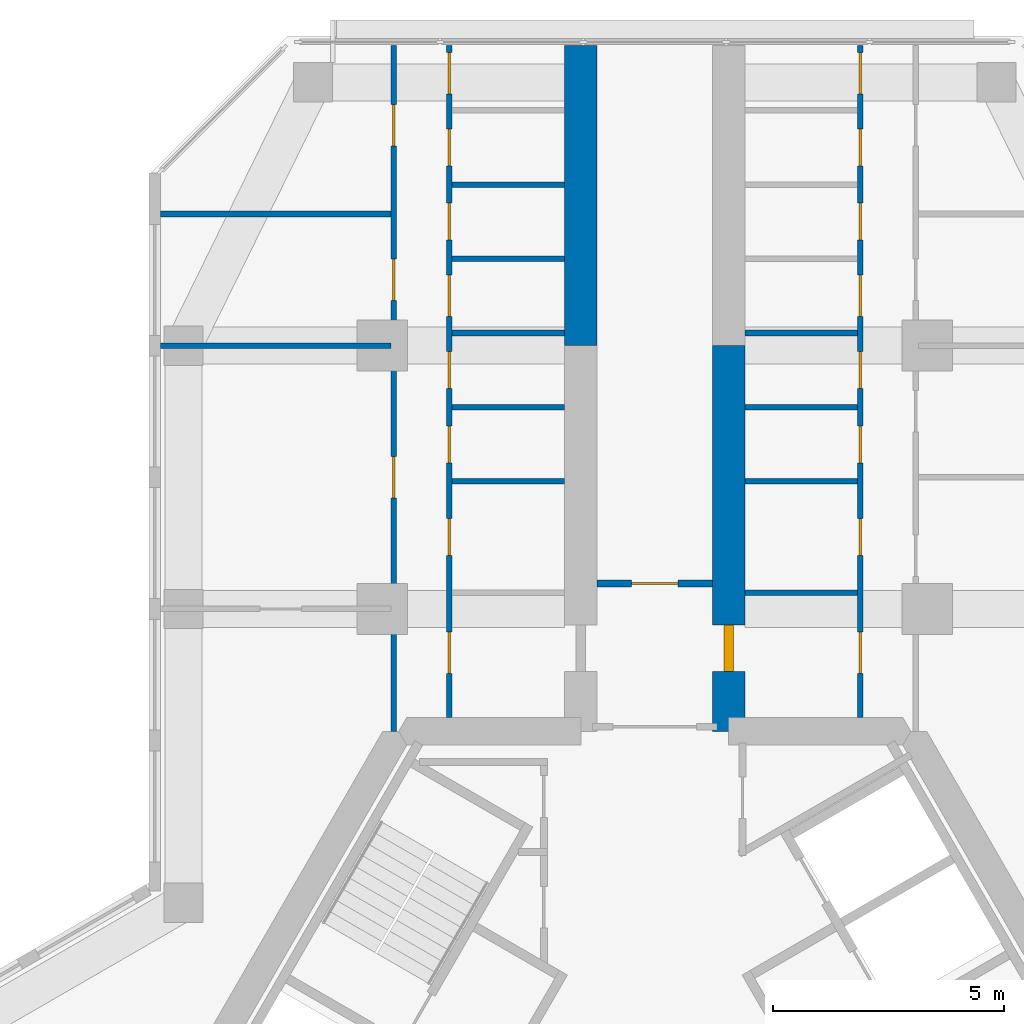
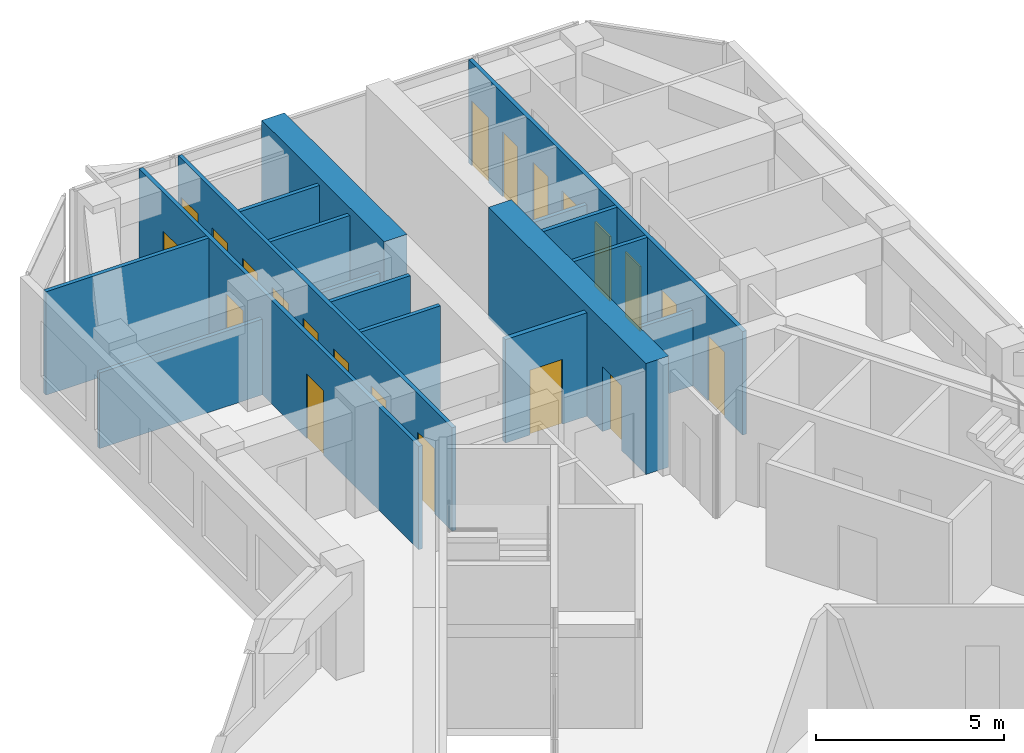
# One storey, part 14 of 16: 21 doors, 17 walls, 21 openings.
"""IFC4 building model written with IfcOpenShell, lengths in metres."""

from ifc_helpers import new_model, si_unit, direction, frame, frame_2d, origin, place, context, subcontext, project, spatial, rectangle, extrude, material, layer, layer_set, type_object, element, fill, save


model = new_model("IFC4")

# Units and contexts
model_context = context("Model", 3, precision=1e-05, world=origin(), true_north=direction((0.0, 1.0)))
body_context = subcontext(model_context, "Body", "Model", "MODEL_VIEW")
ifc_project = project(units=[si_unit("LENGTHUNIT", "METRE"), si_unit("AREAUNIT", "SQUARE_METRE"), si_unit("VOLUMEUNIT", "CUBIC_METRE"), si_unit("PLANEANGLEUNIT", "RADIAN"), si_unit("MASSUNIT", "GRAM", prefix="KILO")], contexts=[model_context])

# Site, building, storey
site_placement = place(None, origin())
site = spatial("IfcSite", under=ifc_project, at=site_placement, CompositionType="ELEMENT")
building_placement = place(site_placement, origin())
building = spatial("IfcBuilding", under=site, at=building_placement, Name="Kosmar Iwan School Tower", CompositionType="ELEMENT")
storey_placement = place(building_placement, frame((0.0, 0.0, 253.199951171875)))
storey = spatial("IfcBuildingStorey", under=building, at=storey_placement, Name="L64", CompositionType="ELEMENT", Elevation=253.199951171875)

# Wall
ifc_material_1 = material(Name="Concrete C50/60", Category="concrete")
ifc_layer_1 = layer(ifc_material_1, 0.699951171875)
ifc_layer_set_1 = layer_set([ifc_layer_1], Name="Corridor buttress wall 700")
wall_type_1 = type_object("IfcWallType", Name="Corridor buttress wall 700", PredefinedType="SHEAR", material=ifc_layer_set_1)
wall_1_placement = place(storey_placement, frame((-1.60009765625, 17.949951171875, 0.0), z_axis=(0.0, 0.0, 1.0), x_axis=(0.0, 1.0, 0.0)))
element("IfcWall", 1, at=wall_1_placement, inside=storey, type_object=wall_type_1, Name="Corridor wall AL bay 2", PredefinedType="SHEAR", context=body_context, shape_type="SweptSolid", body=[
    extrude(rectangle(XDim=6.4951171875, YDim=0.699951171875, at=frame_2d((3.24755859375, 0.0))), origin(), (0.0, 0.0, 1.0), 3.60009765625),
])

# Wall, opening, door
wall_2_placement = place(storey_placement, frame((1.60009765625, 9.60009765625, 0.0), z_axis=(0.0, 0.0, 1.0), x_axis=(0.0, 1.0, 0.0)))
wall_2 = element("IfcWall", 2, at=wall_2_placement, inside=storey, type_object=wall_type_1, Name="Corridor wall AR", PredefinedType="SHEAR", context=body_context, shape_type="SweptSolid", body=[
    extrude(rectangle(XDim=8.349853515625, YDim=0.699951171875, at=frame_2d((4.1748046875, 0.0))), origin(), (0.0, 0.0, 1.0), 3.60009765625),
])
opening_1_placement = place(wall_2_placement, frame((1.300048828125, 0.0, 0.0)))
opening_1 = element("IfcOpeningElement", 3, at=opening_1_placement, cuts=wall_2, Name="Opening D1", PredefinedType="OPENING", context=body_context, shape_type="SweptSolid", body=[
    extrude(rectangle(XDim=1.0, YDim=2.10009765625, at=frame_2d((0.5, 1.050048828125))), frame((0.0, 0.362060546875, 0.0), z_axis=(0.0, -1.0, 0.0), x_axis=(1.0, 0.0, 0.0)), (0.0, 0.0, 1.0), 0.723876953125),
])
ifc_material_2 = material(Name="Timber fire door in steel frame", Category="steel")
door_type_1 = type_object("IfcDoorType", Name="Flat entrance door 1000x2100", OperationType="SINGLE_SWING_LEFT", PredefinedType="DOOR", material=ifc_material_2)
door_1_placement = place(opening_1_placement, origin())
door_1 = element("IfcDoor", 4, at=door_1_placement, inside=storey, type_object=door_type_1, Name="Flat L64-AR1 entrance door", OperationType="SINGLE_SWING_RIGHT", OverallHeight=2.10009765625, OverallWidth=1.0, PredefinedType="DOOR", context=body_context, shape_type="SweptSolid", body=[
    extrude(rectangle(XDim=1.0, YDim=2.10009765625, at=frame_2d((0.5, 1.050048828125))), frame((0.0, 0.10009765625, 0.0), z_axis=(0.0, -1.0, 0.0), x_axis=(1.0, 0.0, 0.0)), (0.0, 0.0, 1.0), 0.199951171875),
])
fill(opening_1, door_1)

ifc_material_3 = material(Name="Gypsum board on steel studs, fire-rated", Category="steel")
ifc_layer_2 = layer(ifc_material_3, 0.14990234375)
ifc_layer_set_2 = layer_set([ifc_layer_2], Name="Corridor end wall 150")
wall_type_2 = type_object("IfcWallType", Name="Corridor end wall 150", PredefinedType="PARTITIONING", material=ifc_layer_set_2)
wall_3_placement = place(storey_placement, frame((1.25, 12.800048828125, 0.0), z_axis=(0.0, 0.0, 1.0), x_axis=(-1.0, 0.0, 0.0)))
wall_3 = element("IfcWall", 5, at=wall_3_placement, inside=storey, type_object=wall_type_2, Name="Partition L64-A-CE", PredefinedType="PARTITIONING", context=body_context, shape_type="SweptSolid", body=[
    extrude(rectangle(XDim=2.5, YDim=0.14990234375, at=frame_2d((1.25, 0.0))), origin(), (0.0, 0.0, 1.0), 3.35009765625),
])
opening_2_placement = place(wall_3_placement, frame((0.75, 0.0, 0.0)))
opening_2 = element("IfcOpeningElement", 6, at=opening_2_placement, cuts=wall_3, Name="Opening D13", PredefinedType="OPENING", context=body_context, shape_type="SweptSolid", body=[
    extrude(rectangle(XDim=1.0, YDim=2.10009765625, at=frame_2d((0.5, 1.050048828125))), frame((0.0, 0.0869140625, 0.0), z_axis=(0.0, -1.0, 0.0), x_axis=(1.0, 0.0, 0.0)), (0.0, 0.0, 1.0), 0.173828125),
])
ifc_material_4 = material(Name="Timber fire door with vision panel", Category="wood")
door_type_2 = type_object("IfcDoorType", Name="Corridor end door 1000x2100", OperationType="SINGLE_SWING_LEFT", PredefinedType="DOOR", material=ifc_material_4)
door_2_placement = place(opening_2_placement, origin())
door_2 = element("IfcDoor", 7, at=door_2_placement, inside=storey, type_object=door_type_2, Name="Reading room door L64-A", OperationType="SINGLE_SWING_RIGHT", OverallHeight=2.10009765625, OverallWidth=1.0, PredefinedType="DOOR", context=body_context, shape_type="SweptSolid", body=[
    extrude(rectangle(XDim=1.0, YDim=2.10009765625, at=frame_2d((0.5, 1.050048828125))), frame((0.0, 0.02490234375, 0.0), z_axis=(0.0, -1.0, 0.0), x_axis=(1.0, 0.0, 0.0)), (0.0, 0.0, 1.0), 0.050048828125),
])
fill(opening_2, door_2)

# Wall, openings, doors
ifc_material_5 = material(Name="Gypsum board on steel studs", Category="steel")
ifc_layer_3 = layer(ifc_material_5, 0.1201171875)
ifc_layer_set_3 = layer_set([ifc_layer_3], Name="Dwelling partition 120")
wall_type_3 = type_object("IfcWallType", Name="Dwelling partition 120", PredefinedType="PARTITIONING", material=ifc_layer_set_3)
wall_4_placement = place(storey_placement, frame((-4.449951171875, 9.89990234375, 0.0), z_axis=(0.0, 0.0, 1.0), x_axis=(0.0, 1.0, 0.0)))
wall_4 = element("IfcWall", 8, at=wall_4_placement, inside=storey, type_object=wall_type_3, Name="Partition L64-AL1-W1", PredefinedType="PARTITIONING", context=body_context, shape_type="SweptSolid", body=[
    extrude(rectangle(XDim=14.545166015625, YDim=0.1201171875, at=frame_2d((7.2724609375, 0.0))), origin(), (0.0, 0.0, 1.0), 3.35009765625),
])
opening_3_placement = place(wall_4_placement, frame((0.949951171875, 0.0, 0.0)))
opening_3 = element("IfcOpeningElement", 9, at=opening_3_placement, cuts=wall_4, Name="Opening D2", PredefinedType="OPENING", context=body_context, shape_type="SweptSolid", body=[
    extrude(rectangle(XDim=0.89990234375, YDim=2.10009765625, at=frame_2d((0.449951171875, 1.050048828125))), frame((0.0, 0.072021484375, 0.0), z_axis=(0.0, -1.0, 0.0), x_axis=(1.0, 0.0, 0.0)), (0.0, 0.0, 1.0), 0.14404296875),
])
opening_4_placement = place(wall_4_placement, frame((3.505126953125, 0.0, 0.0)))
opening_4 = element("IfcOpeningElement", 10, at=opening_4_placement, cuts=wall_4, Name="Opening D3", PredefinedType="OPENING", context=body_context, shape_type="SweptSolid", body=[
    extrude(rectangle(XDim=0.800048828125, YDim=2.10009765625, at=frame_2d((0.39990234375, 1.050048828125))), frame((0.0, 0.072021484375, 0.0), z_axis=(0.0, -1.0, 0.0), x_axis=(1.0, 0.0, 0.0)), (0.0, 0.0, 1.0), 0.14404296875),
])
opening_5_placement = place(wall_4_placement, frame((5.513427734375, 0.0, 0.0)))
opening_5 = element("IfcOpeningElement", 11, at=opening_5_placement, cuts=wall_4, Name="Opening D3", PredefinedType="OPENING", context=body_context, shape_type="SweptSolid", body=[
    extrude(rectangle(XDim=0.800048828125, YDim=2.10009765625, at=frame_2d((0.39990234375, 1.050048828125))), frame((0.0, 0.072021484375, 0.0), z_axis=(0.0, -1.0, 0.0), x_axis=(1.0, 0.0, 0.0)), (0.0, 0.0, 1.0), 0.14404296875),
])
opening_6_placement = place(wall_4_placement, frame((7.1201171875, 0.0, 0.0)))
opening_6 = element("IfcOpeningElement", 12, at=opening_6_placement, cuts=wall_4, Name="Opening D3", PredefinedType="OPENING", context=body_context, shape_type="SweptSolid", body=[
    extrude(rectangle(XDim=0.800048828125, YDim=2.10009765625, at=frame_2d((0.39990234375, 1.050048828125))), frame((0.0, 0.072021484375, 0.0), z_axis=(0.0, -1.0, 0.0), x_axis=(1.0, 0.0, 0.0)), (0.0, 0.0, 1.0), 0.14404296875),
])
opening_7_placement = place(wall_4_placement, frame((8.6767578125, 0.0, 0.0)))
opening_7 = element("IfcOpeningElement", 13, at=opening_7_placement, cuts=wall_4, Name="Opening D2", PredefinedType="OPENING", context=body_context, shape_type="SweptSolid", body=[
    extrude(rectangle(XDim=0.89990234375, YDim=2.10009765625, at=frame_2d((0.449951171875, 1.050048828125))), frame((0.0, 0.072021484375, 0.0), z_axis=(0.0, -1.0, 0.0), x_axis=(1.0, 0.0, 0.0)), (0.0, 0.0, 1.0), 0.14404296875),
])
opening_8_placement = place(wall_4_placement, frame((10.333251953125, 0.0, 0.0)))
opening_8 = element("IfcOpeningElement", 14, at=opening_8_placement, cuts=wall_4, Name="Opening D3", PredefinedType="OPENING", context=body_context, shape_type="SweptSolid", body=[
    extrude(rectangle(XDim=0.800048828125, YDim=2.10009765625, at=frame_2d((0.39990234375, 1.050048828125))), frame((0.0, 0.072021484375, 0.0), z_axis=(0.0, -1.0, 0.0), x_axis=(1.0, 0.0, 0.0)), (0.0, 0.0, 1.0), 0.14404296875),
])
opening_9_placement = place(wall_4_placement, frame((11.93994140625, 0.0, 0.0)))
opening_9 = element("IfcOpeningElement", 15, at=opening_9_placement, cuts=wall_4, Name="Opening D3", PredefinedType="OPENING", context=body_context, shape_type="SweptSolid", body=[
    extrude(rectangle(XDim=0.800048828125, YDim=2.10009765625, at=frame_2d((0.39990234375, 1.050048828125))), frame((0.0, 0.072021484375, 0.0), z_axis=(0.0, -1.0, 0.0), x_axis=(1.0, 0.0, 0.0)), (0.0, 0.0, 1.0), 0.14404296875),
])
opening_10_placement = place(wall_4_placement, frame((13.49658203125, 0.0, 0.0)))
opening_10 = element("IfcOpeningElement", 16, at=opening_10_placement, cuts=wall_4, Name="Opening D2", PredefinedType="OPENING", context=body_context, shape_type="SweptSolid", body=[
    extrude(rectangle(XDim=0.89990234375, YDim=2.10009765625, at=frame_2d((0.449951171875, 1.050048828125))), frame((0.0, 0.072021484375, 0.0), z_axis=(0.0, -1.0, 0.0), x_axis=(1.0, 0.0, 0.0)), (0.0, 0.0, 1.0), 0.14404296875),
])
ifc_material_6 = material(Name="Timber door in timber frame", Category="wood")
door_type_3 = type_object("IfcDoorType", Name="Internal door 900x2100", OperationType="SINGLE_SWING_LEFT", PredefinedType="DOOR", material=ifc_material_6)
door_3_placement = place(opening_3_placement, origin())
door_3 = element("IfcDoor", 17, at=door_3_placement, inside=storey, type_object=door_type_3, Name="Entrance hall door L64-AL1-S1", OperationType="SINGLE_SWING_LEFT", OverallHeight=2.10009765625, OverallWidth=0.89990234375, PredefinedType="DOOR", context=body_context, shape_type="SweptSolid", body=[
    extrude(rectangle(XDim=0.89990234375, YDim=2.10009765625, at=frame_2d((0.449951171875, 1.050048828125))), frame((0.0, 0.02490234375, 0.0), z_axis=(0.0, -1.0, 0.0), x_axis=(1.0, 0.0, 0.0)), (0.0, 0.0, 1.0), 0.050048828125),
])
fill(opening_3, door_3)
door_4_placement = place(opening_7_placement, origin())
door_4 = element("IfcDoor", 18, at=door_4_placement, inside=storey, type_object=door_type_3, Name="Pantry door L64-AL1-S5", OperationType="SINGLE_SWING_RIGHT", OverallHeight=2.10009765625, OverallWidth=0.89990234375, PredefinedType="DOOR", context=body_context, shape_type="SweptSolid", body=[
    extrude(rectangle(XDim=0.89990234375, YDim=2.10009765625, at=frame_2d((0.449951171875, 1.050048828125))), frame((0.0, 0.02490234375, 0.0), z_axis=(0.0, -1.0, 0.0), x_axis=(1.0, 0.0, 0.0)), (0.0, 0.0, 1.0), 0.050048828125),
])
fill(opening_7, door_4)
door_5_placement = place(opening_10_placement, origin())
door_5 = element("IfcDoor", 19, at=door_5_placement, inside=storey, type_object=door_type_3, Name="Utility room door L64-AL1-S8", OperationType="SINGLE_SWING_RIGHT", OverallHeight=2.10009765625, OverallWidth=0.89990234375, PredefinedType="DOOR", context=body_context, shape_type="SweptSolid", body=[
    extrude(rectangle(XDim=0.89990234375, YDim=2.10009765625, at=frame_2d((0.449951171875, 1.050048828125))), frame((0.0, 0.02490234375, 0.0), z_axis=(0.0, -1.0, 0.0), x_axis=(1.0, 0.0, 0.0)), (0.0, 0.0, 1.0), 0.050048828125),
])
fill(opening_10, door_5)
ifc_material_7 = material(Name="Timber door in timber frame", Category="wood")
door_type_4 = type_object("IfcDoorType", Name="Sanitary room door 800x2100", OperationType="SINGLE_SWING_LEFT", PredefinedType="DOOR", material=ifc_material_7)
door_6_placement = place(opening_4_placement, origin())
door_6 = element("IfcDoor", 20, at=door_6_placement, inside=storey, type_object=door_type_4, Name="Bathroom door L64-AL1-S2", OperationType="SINGLE_SWING_LEFT", OverallHeight=2.10009765625, OverallWidth=0.800048828125, PredefinedType="DOOR", context=body_context, shape_type="SweptSolid", body=[
    extrude(rectangle(XDim=0.800048828125, YDim=2.10009765625, at=frame_2d((0.39990234375, 1.050048828125))), frame((0.0, 0.02490234375, 0.0), z_axis=(0.0, -1.0, 0.0), x_axis=(1.0, 0.0, 0.0)), (0.0, 0.0, 1.0), 0.050048828125),
])
fill(opening_4, door_6)
door_7_placement = place(opening_5_placement, origin())
door_7 = element("IfcDoor", 21, at=door_7_placement, inside=storey, type_object=door_type_4, Name="Grandparents' shower room door L64-AL1-S3", OperationType="SINGLE_SWING_LEFT", OverallHeight=2.10009765625, OverallWidth=0.800048828125, PredefinedType="DOOR", context=body_context, shape_type="SweptSolid", body=[
    extrude(rectangle(XDim=0.800048828125, YDim=2.10009765625, at=frame_2d((0.39990234375, 1.050048828125))), frame((0.0, 0.02490234375, 0.0), z_axis=(0.0, -1.0, 0.0), x_axis=(1.0, 0.0, 0.0)), (0.0, 0.0, 1.0), 0.050048828125),
])
fill(opening_5, door_7)
door_8_placement = place(opening_6_placement, origin())
door_8 = element("IfcDoor", 22, at=door_8_placement, inside=storey, type_object=door_type_4, Name="Shower room door L64-AL1-S4", OperationType="SINGLE_SWING_RIGHT", OverallHeight=2.10009765625, OverallWidth=0.800048828125, PredefinedType="DOOR", context=body_context, shape_type="SweptSolid", body=[
    extrude(rectangle(XDim=0.800048828125, YDim=2.10009765625, at=frame_2d((0.39990234375, 1.050048828125))), frame((0.0, 0.02490234375, 0.0), z_axis=(0.0, -1.0, 0.0), x_axis=(1.0, 0.0, 0.0)), (0.0, 0.0, 1.0), 0.050048828125),
])
fill(opening_6, door_8)
door_9_placement = place(opening_8_placement, origin())
door_9 = element("IfcDoor", 23, at=door_9_placement, inside=storey, type_object=door_type_4, Name="WC door L64-AL1-S6", OperationType="SINGLE_SWING_RIGHT", OverallHeight=2.10009765625, OverallWidth=0.800048828125, PredefinedType="DOOR", context=body_context, shape_type="SweptSolid", body=[
    extrude(rectangle(XDim=0.800048828125, YDim=2.10009765625, at=frame_2d((0.39990234375, 1.050048828125))), frame((0.0, 0.02490234375, 0.0), z_axis=(0.0, -1.0, 0.0), x_axis=(1.0, 0.0, 0.0)), (0.0, 0.0, 1.0), 0.050048828125),
])
fill(opening_8, door_9)
door_10_placement = place(opening_9_placement, origin())
door_10 = element("IfcDoor", 24, at=door_10_placement, inside=storey, type_object=door_type_4, Name="Store door L64-AL1-S7", OperationType="SINGLE_SWING_RIGHT", OverallHeight=2.10009765625, OverallWidth=0.800048828125, PredefinedType="DOOR", context=body_context, shape_type="SweptSolid", body=[
    extrude(rectangle(XDim=0.800048828125, YDim=2.10009765625, at=frame_2d((0.39990234375, 1.050048828125))), frame((0.0, 0.02490234375, 0.0), z_axis=(0.0, -1.0, 0.0), x_axis=(1.0, 0.0, 0.0)), (0.0, 0.0, 1.0), 0.050048828125),
])
fill(opening_9, door_10)

wall_5_placement = place(storey_placement, frame((-5.64990234375, 9.60009765625, 0.0), z_axis=(0.0, 0.0, 1.0), x_axis=(0.0, 1.0, 0.0)))
wall_5 = element("IfcWall", 25, at=wall_5_placement, inside=storey, type_object=wall_type_3, Name="Partition L64-AL1-W2", PredefinedType="PARTITIONING", context=body_context, shape_type="SweptSolid", body=[
    extrude(rectangle(XDim=14.844970703125, YDim=0.1201171875, at=frame_2d((7.42236328125, 0.0))), origin(), (0.0, 0.0, 1.0), 3.35009765625),
])
opening_11_placement = place(wall_5_placement, frame((5.050048828125, 0.0, 0.0)))
opening_11 = element("IfcOpeningElement", 26, at=opening_11_placement, cuts=wall_5, Name="Opening D2", PredefinedType="OPENING", context=body_context, shape_type="SweptSolid", body=[
    extrude(rectangle(XDim=0.89990234375, YDim=2.10009765625, at=frame_2d((0.449951171875, 1.050048828125))), frame((0.0, 0.072021484375, 0.0), z_axis=(0.0, -1.0, 0.0), x_axis=(1.0, 0.0, 0.0)), (0.0, 0.0, 1.0), 0.14404296875),
])
opening_12_placement = place(wall_5_placement, frame((9.324951171875, 0.0, 0.0)))
opening_12 = element("IfcOpeningElement", 27, at=opening_12_placement, cuts=wall_5, Name="Opening D2", PredefinedType="OPENING", context=body_context, shape_type="SweptSolid", body=[
    extrude(rectangle(XDim=0.89990234375, YDim=2.10009765625, at=frame_2d((0.449951171875, 1.050048828125))), frame((0.0, 0.072021484375, 0.0), z_axis=(0.0, -1.0, 0.0), x_axis=(1.0, 0.0, 0.0)), (0.0, 0.0, 1.0), 0.14404296875),
])
opening_13_placement = place(wall_5_placement, frame((12.675048828125, 0.0, 0.0)))
opening_13 = element("IfcOpeningElement", 28, at=opening_13_placement, cuts=wall_5, Name="Opening D2", PredefinedType="OPENING", context=body_context, shape_type="SweptSolid", body=[
    extrude(rectangle(XDim=0.89990234375, YDim=2.10009765625, at=frame_2d((0.449951171875, 1.050048828125))), frame((0.0, 0.072021484375, 0.0), z_axis=(0.0, -1.0, 0.0), x_axis=(1.0, 0.0, 0.0)), (0.0, 0.0, 1.0), 0.14404296875),
])
door_11_placement = place(opening_11_placement, origin())
door_11 = element("IfcDoor", 29, at=door_11_placement, inside=storey, type_object=door_type_3, Name="Living room door L64-AL1-F2", OperationType="SINGLE_SWING_LEFT", OverallHeight=2.10009765625, OverallWidth=0.89990234375, PredefinedType="DOOR", context=body_context, shape_type="SweptSolid", body=[
    extrude(rectangle(XDim=0.89990234375, YDim=2.10009765625, at=frame_2d((0.449951171875, 1.050048828125))), frame((0.0, 0.02490234375, 0.0), z_axis=(0.0, -1.0, 0.0), x_axis=(1.0, 0.0, 0.0)), (0.0, 0.0, 1.0), 0.050048828125),
])
fill(opening_11, door_11)
door_12_placement = place(opening_12_placement, origin())
door_12 = element("IfcDoor", 30, at=door_12_placement, inside=storey, type_object=door_type_3, Name="Grandparents' suite door L64-AL1-F3", OperationType="SINGLE_SWING_RIGHT", OverallHeight=2.10009765625, OverallWidth=0.89990234375, PredefinedType="DOOR", context=body_context, shape_type="SweptSolid", body=[
    extrude(rectangle(XDim=0.89990234375, YDim=2.10009765625, at=frame_2d((0.449951171875, 1.050048828125))), frame((0.0, 0.02490234375, 0.0), z_axis=(0.0, -1.0, 0.0), x_axis=(1.0, 0.0, 0.0)), (0.0, 0.0, 1.0), 0.050048828125),
])
fill(opening_12, door_12)
door_13_placement = place(opening_13_placement, origin())
door_13 = element("IfcDoor", 31, at=door_13_placement, inside=storey, type_object=door_type_3, Name="Bedroom 1 door L64-AL1-F4", OperationType="SINGLE_SWING_RIGHT", OverallHeight=2.10009765625, OverallWidth=0.89990234375, PredefinedType="DOOR", context=body_context, shape_type="SweptSolid", body=[
    extrude(rectangle(XDim=0.89990234375, YDim=2.10009765625, at=frame_2d((0.449951171875, 1.050048828125))), frame((0.0, 0.02490234375, 0.0), z_axis=(0.0, -1.0, 0.0), x_axis=(1.0, 0.0, 0.0)), (0.0, 0.0, 1.0), 0.050048828125),
])
fill(opening_13, door_13)

# Walls
wall_6_placement = place(storey_placement, frame((-5.7099609375, 17.949951171875, 0.0), z_axis=(0.0, 0.0, 1.0), x_axis=(-1.0, 0.0, 0.0)))
element("IfcWall", 32, at=wall_6_placement, inside=storey, type_object=wall_type_3, Name="Partition L64-AL1-X2", PredefinedType="PARTITIONING", context=body_context, shape_type="SweptSolid", body=[
    extrude(rectangle(XDim=4.989990234375, YDim=0.1201171875, at=frame_2d((2.4951171875, 0.0))), origin(), (0.0, 0.0, 1.0), 2.449951171875),
])
wall_7_placement = place(storey_placement, frame((-5.7099609375, 20.800048828125, 0.0), z_axis=(0.0, 0.0, 1.0), x_axis=(-1.0, 0.0, 0.0)))
element("IfcWall", 33, at=wall_7_placement, inside=storey, type_object=wall_type_3, Name="Partition L64-AL1-X3", PredefinedType="PARTITIONING", context=body_context, shape_type="SweptSolid", body=[
    extrude(rectangle(XDim=4.989990234375, YDim=0.1201171875, at=frame_2d((2.4951171875, 0.0))), origin(), (0.0, 0.0, 1.0), 3.35009765625),
])
for number, where, z_axis, x_axis, name in (
    (34, (-1.949951171875, 15.010009765625, 0.0), (0.0, 0.0, 1.0), (-1.0, 0.0, 0.0), "Partition L64-AL1-Y2"),
    (35, (-1.949951171875, 16.61669921875, 0.0), (0.0, 0.0, 1.0), (-1.0, 0.0, 0.0), "Partition L64-AL1-Y3"),
):
    element("IfcWall", number, at=place(storey_placement, frame(where, z_axis=z_axis, x_axis=x_axis)), inside=storey, type_object=wall_type_3, Name=name, PredefinedType="PARTITIONING", context=body_context, shape_type="SweptSolid", body=[
        extrude(rectangle(XDim=2.43994140625, YDim=0.1201171875, at=frame_2d((1.219970703125, 0.0))), origin(), (0.0, 0.0, 1.0), 3.35009765625),
    ])
wall_8_placement = place(storey_placement, frame((-1.949951171875, 18.223388671875, 0.0), z_axis=(0.0, 0.0, 1.0), x_axis=(-1.0, 0.0, 0.0)))
element("IfcWall", 36, at=wall_8_placement, inside=storey, type_object=wall_type_3, Name="Partition L64-AL1-Y4", PredefinedType="PARTITIONING", context=body_context, shape_type="SweptSolid", body=[
    extrude(rectangle(XDim=2.43994140625, YDim=0.1201171875, at=frame_2d((1.219970703125, 0.0))), origin(), (0.0, 0.0, 1.0), 2.449951171875),
])
for number, where, z_axis, x_axis, name in (
    (37, (-1.949951171875, 19.830078125, 0.0), (0.0, 0.0, 1.0), (-1.0, 0.0, 0.0), "Partition L64-AL1-Y5"),
    (38, (-1.949951171875, 21.436767578125, 0.0), (0.0, 0.0, 1.0), (-1.0, 0.0, 0.0), "Partition L64-AL1-Y6"),
):
    element("IfcWall", number, at=place(storey_placement, frame(where, z_axis=z_axis, x_axis=x_axis)), inside=storey, type_object=wall_type_3, Name=name, PredefinedType="PARTITIONING", context=body_context, shape_type="SweptSolid", body=[
        extrude(rectangle(XDim=2.43994140625, YDim=0.1201171875, at=frame_2d((1.219970703125, 0.0))), origin(), (0.0, 0.0, 1.0), 3.35009765625),
    ])

# Wall, openings, doors
wall_9_placement = place(storey_placement, frame((4.449951171875, 9.89990234375, 0.0), z_axis=(0.0, 0.0, 1.0), x_axis=(0.0, 1.0, 0.0)))
wall_9 = element("IfcWall", 39, at=wall_9_placement, inside=storey, type_object=wall_type_3, Name="Partition L64-AR1-W1", PredefinedType="PARTITIONING", context=body_context, shape_type="SweptSolid", body=[
    extrude(rectangle(XDim=14.545166015625, YDim=0.1201171875, at=frame_2d((7.2724609375, 0.0))), origin(), (0.0, 0.0, 1.0), 3.35009765625),
])
opening_14_placement = place(wall_9_placement, frame((0.949951171875, 0.0, 0.0)))
opening_14 = element("IfcOpeningElement", 40, at=opening_14_placement, cuts=wall_9, Name="Opening D2", PredefinedType="OPENING", context=body_context, shape_type="SweptSolid", body=[
    extrude(rectangle(XDim=0.89990234375, YDim=2.10009765625, at=frame_2d((0.449951171875, 1.050048828125))), frame((0.0, 0.072021484375, 0.0), z_axis=(0.0, -1.0, 0.0), x_axis=(1.0, 0.0, 0.0)), (0.0, 0.0, 1.0), 0.14404296875),
])
opening_15_placement = place(wall_9_placement, frame((3.505126953125, 0.0, 0.0)))
opening_15 = element("IfcOpeningElement", 41, at=opening_15_placement, cuts=wall_9, Name="Opening D3", PredefinedType="OPENING", context=body_context, shape_type="SweptSolid", body=[
    extrude(rectangle(XDim=0.800048828125, YDim=2.10009765625, at=frame_2d((0.39990234375, 1.050048828125))), frame((0.0, 0.072021484375, 0.0), z_axis=(0.0, -1.0, 0.0), x_axis=(1.0, 0.0, 0.0)), (0.0, 0.0, 1.0), 0.14404296875),
])
opening_16_placement = place(wall_9_placement, frame((5.513427734375, 0.0, 0.0)))
opening_16 = element("IfcOpeningElement", 42, at=opening_16_placement, cuts=wall_9, Name="Opening D3", PredefinedType="OPENING", context=body_context, shape_type="SweptSolid", body=[
    extrude(rectangle(XDim=0.800048828125, YDim=2.10009765625, at=frame_2d((0.39990234375, 1.050048828125))), frame((0.0, 0.072021484375, 0.0), z_axis=(0.0, -1.0, 0.0), x_axis=(1.0, 0.0, 0.0)), (0.0, 0.0, 1.0), 0.14404296875),
])
opening_17_placement = place(wall_9_placement, frame((7.1201171875, 0.0, 0.0)))
opening_17 = element("IfcOpeningElement", 43, at=opening_17_placement, cuts=wall_9, Name="Opening D3", PredefinedType="OPENING", context=body_context, shape_type="SweptSolid", body=[
    extrude(rectangle(XDim=0.800048828125, YDim=2.10009765625, at=frame_2d((0.39990234375, 1.050048828125))), frame((0.0, 0.072021484375, 0.0), z_axis=(0.0, -1.0, 0.0), x_axis=(1.0, 0.0, 0.0)), (0.0, 0.0, 1.0), 0.14404296875),
])
opening_18_placement = place(wall_9_placement, frame((8.6767578125, 0.0, 0.0)))
opening_18 = element("IfcOpeningElement", 44, at=opening_18_placement, cuts=wall_9, Name="Opening D2", PredefinedType="OPENING", context=body_context, shape_type="SweptSolid", body=[
    extrude(rectangle(XDim=0.89990234375, YDim=2.10009765625, at=frame_2d((0.449951171875, 1.050048828125))), frame((0.0, 0.072021484375, 0.0), z_axis=(0.0, -1.0, 0.0), x_axis=(1.0, 0.0, 0.0)), (0.0, 0.0, 1.0), 0.14404296875),
])
opening_19_placement = place(wall_9_placement, frame((10.333251953125, 0.0, 0.0)))
opening_19 = element("IfcOpeningElement", 45, at=opening_19_placement, cuts=wall_9, Name="Opening D3", PredefinedType="OPENING", context=body_context, shape_type="SweptSolid", body=[
    extrude(rectangle(XDim=0.800048828125, YDim=2.10009765625, at=frame_2d((0.39990234375, 1.050048828125))), frame((0.0, 0.072021484375, 0.0), z_axis=(0.0, -1.0, 0.0), x_axis=(1.0, 0.0, 0.0)), (0.0, 0.0, 1.0), 0.14404296875),
])
opening_20_placement = place(wall_9_placement, frame((11.93994140625, 0.0, 0.0)))
opening_20 = element("IfcOpeningElement", 46, at=opening_20_placement, cuts=wall_9, Name="Opening D3", PredefinedType="OPENING", context=body_context, shape_type="SweptSolid", body=[
    extrude(rectangle(XDim=0.800048828125, YDim=2.10009765625, at=frame_2d((0.39990234375, 1.050048828125))), frame((0.0, 0.072021484375, 0.0), z_axis=(0.0, -1.0, 0.0), x_axis=(1.0, 0.0, 0.0)), (0.0, 0.0, 1.0), 0.14404296875),
])
opening_21_placement = place(wall_9_placement, frame((13.49658203125, 0.0, 0.0)))
opening_21 = element("IfcOpeningElement", 47, at=opening_21_placement, cuts=wall_9, Name="Opening D2", PredefinedType="OPENING", context=body_context, shape_type="SweptSolid", body=[
    extrude(rectangle(XDim=0.89990234375, YDim=2.10009765625, at=frame_2d((0.449951171875, 1.050048828125))), frame((0.0, 0.072021484375, 0.0), z_axis=(0.0, -1.0, 0.0), x_axis=(1.0, 0.0, 0.0)), (0.0, 0.0, 1.0), 0.14404296875),
])
door_14_placement = place(opening_14_placement, origin())
door_14 = element("IfcDoor", 48, at=door_14_placement, inside=storey, type_object=door_type_3, Name="Entrance hall door L64-AR1-S1", OperationType="SINGLE_SWING_RIGHT", OverallHeight=2.10009765625, OverallWidth=0.89990234375, PredefinedType="DOOR", context=body_context, shape_type="SweptSolid", body=[
    extrude(rectangle(XDim=0.89990234375, YDim=2.10009765625, at=frame_2d((0.449951171875, 1.050048828125))), frame((0.0, 0.02490234375, 0.0), z_axis=(0.0, -1.0, 0.0), x_axis=(1.0, 0.0, 0.0)), (0.0, 0.0, 1.0), 0.050048828125),
])
fill(opening_14, door_14)
door_15_placement = place(opening_18_placement, origin())
door_15 = element("IfcDoor", 49, at=door_15_placement, inside=storey, type_object=door_type_3, Name="Pantry door L64-AR1-S5", OperationType="SINGLE_SWING_RIGHT", OverallHeight=2.10009765625, OverallWidth=0.89990234375, PredefinedType="DOOR", context=body_context, shape_type="SweptSolid", body=[
    extrude(rectangle(XDim=0.89990234375, YDim=2.10009765625, at=frame_2d((0.449951171875, 1.050048828125))), frame((0.0, 0.02490234375, 0.0), z_axis=(0.0, -1.0, 0.0), x_axis=(1.0, 0.0, 0.0)), (0.0, 0.0, 1.0), 0.050048828125),
])
fill(opening_18, door_15)
door_16_placement = place(opening_21_placement, origin())
door_16 = element("IfcDoor", 50, at=door_16_placement, inside=storey, type_object=door_type_3, Name="Utility room door L64-AR1-S8", OperationType="SINGLE_SWING_RIGHT", OverallHeight=2.10009765625, OverallWidth=0.89990234375, PredefinedType="DOOR", context=body_context, shape_type="SweptSolid", body=[
    extrude(rectangle(XDim=0.89990234375, YDim=2.10009765625, at=frame_2d((0.449951171875, 1.050048828125))), frame((0.0, 0.02490234375, 0.0), z_axis=(0.0, -1.0, 0.0), x_axis=(1.0, 0.0, 0.0)), (0.0, 0.0, 1.0), 0.050048828125),
])
fill(opening_21, door_16)
door_17_placement = place(opening_15_placement, origin())
door_17 = element("IfcDoor", 51, at=door_17_placement, inside=storey, type_object=door_type_4, Name="Bathroom door L64-AR1-S2", OperationType="SINGLE_SWING_LEFT", OverallHeight=2.10009765625, OverallWidth=0.800048828125, PredefinedType="DOOR", context=body_context, shape_type="SweptSolid", body=[
    extrude(rectangle(XDim=0.800048828125, YDim=2.10009765625, at=frame_2d((0.39990234375, 1.050048828125))), frame((0.0, 0.02490234375, 0.0), z_axis=(0.0, -1.0, 0.0), x_axis=(1.0, 0.0, 0.0)), (0.0, 0.0, 1.0), 0.050048828125),
])
fill(opening_15, door_17)
door_18_placement = place(opening_16_placement, origin())
door_18 = element("IfcDoor", 52, at=door_18_placement, inside=storey, type_object=door_type_4, Name="Grandparents' shower room door L64-AR1-S3", OperationType="SINGLE_SWING_RIGHT", OverallHeight=2.10009765625, OverallWidth=0.800048828125, PredefinedType="DOOR", context=body_context, shape_type="SweptSolid", body=[
    extrude(rectangle(XDim=0.800048828125, YDim=2.10009765625, at=frame_2d((0.39990234375, 1.050048828125))), frame((0.0, 0.02490234375, 0.0), z_axis=(0.0, -1.0, 0.0), x_axis=(1.0, 0.0, 0.0)), (0.0, 0.0, 1.0), 0.050048828125),
])
fill(opening_16, door_18)
door_19_placement = place(opening_17_placement, origin())
door_19 = element("IfcDoor", 53, at=door_19_placement, inside=storey, type_object=door_type_4, Name="Shower room door L64-AR1-S4", OperationType="SINGLE_SWING_LEFT", OverallHeight=2.10009765625, OverallWidth=0.800048828125, PredefinedType="DOOR", context=body_context, shape_type="SweptSolid", body=[
    extrude(rectangle(XDim=0.800048828125, YDim=2.10009765625, at=frame_2d((0.39990234375, 1.050048828125))), frame((0.0, 0.02490234375, 0.0), z_axis=(0.0, -1.0, 0.0), x_axis=(1.0, 0.0, 0.0)), (0.0, 0.0, 1.0), 0.050048828125),
])
fill(opening_17, door_19)
door_20_placement = place(opening_19_placement, origin())
door_20 = element("IfcDoor", 54, at=door_20_placement, inside=storey, type_object=door_type_4, Name="WC door L64-AR1-S6", OperationType="SINGLE_SWING_LEFT", OverallHeight=2.10009765625, OverallWidth=0.800048828125, PredefinedType="DOOR", context=body_context, shape_type="SweptSolid", body=[
    extrude(rectangle(XDim=0.800048828125, YDim=2.10009765625, at=frame_2d((0.39990234375, 1.050048828125))), frame((0.0, 0.02490234375, 0.0), z_axis=(0.0, -1.0, 0.0), x_axis=(1.0, 0.0, 0.0)), (0.0, 0.0, 1.0), 0.050048828125),
])
fill(opening_19, door_20)
door_21_placement = place(opening_20_placement, origin())
door_21 = element("IfcDoor", 55, at=door_21_placement, inside=storey, type_object=door_type_4, Name="Store door L64-AR1-S7", OperationType="SINGLE_SWING_RIGHT", OverallHeight=2.10009765625, OverallWidth=0.800048828125, PredefinedType="DOOR", context=body_context, shape_type="SweptSolid", body=[
    extrude(rectangle(XDim=0.800048828125, YDim=2.10009765625, at=frame_2d((0.39990234375, 1.050048828125))), frame((0.0, 0.02490234375, 0.0), z_axis=(0.0, -1.0, 0.0), x_axis=(1.0, 0.0, 0.0)), (0.0, 0.0, 1.0), 0.050048828125),
])
fill(opening_20, door_21)

# Walls
wall_10_placement = place(storey_placement, frame((1.949951171875, 12.60009765625, 0.0), z_axis=(0.0, 0.0, 1.0), x_axis=(1.0, 0.0, 0.0)))
element("IfcWall", 56, at=wall_10_placement, inside=storey, type_object=wall_type_3, Name="Partition L64-AR1-Y1", PredefinedType="PARTITIONING", context=body_context, shape_type="SweptSolid", body=[
    extrude(rectangle(XDim=2.43994140625, YDim=0.1201171875, at=frame_2d((1.219970703125, 0.0))), origin(), (0.0, 0.0, 1.0), 2.449951171875),
])
for number, where, z_axis, x_axis, name in (
    (57, (1.949951171875, 15.010009765625, 0.0), (0.0, 0.0, 1.0), (1.0, 0.0, 0.0), "Partition L64-AR1-Y2"),
    (58, (1.949951171875, 16.61669921875, 0.0), (0.0, 0.0, 1.0), (1.0, 0.0, 0.0), "Partition L64-AR1-Y3"),
):
    element("IfcWall", number, at=place(storey_placement, frame(where, z_axis=z_axis, x_axis=x_axis)), inside=storey, type_object=wall_type_3, Name=name, PredefinedType="PARTITIONING", context=body_context, shape_type="SweptSolid", body=[
        extrude(rectangle(XDim=2.43994140625, YDim=0.1201171875, at=frame_2d((1.219970703125, 0.0))), origin(), (0.0, 0.0, 1.0), 3.35009765625),
    ])
wall_11_placement = place(storey_placement, frame((1.949951171875, 18.223388671875, 0.0), z_axis=(0.0, 0.0, 1.0), x_axis=(1.0, 0.0, 0.0)))
element("IfcWall", 59, at=wall_11_placement, inside=storey, type_object=wall_type_3, Name="Partition L64-AR1-Y4", PredefinedType="PARTITIONING", context=body_context, shape_type="SweptSolid", body=[
    extrude(rectangle(XDim=2.43994140625, YDim=0.1201171875, at=frame_2d((1.219970703125, 0.0))), origin(), (0.0, 0.0, 1.0), 2.449951171875),
])

save(model, "model.ifc")
